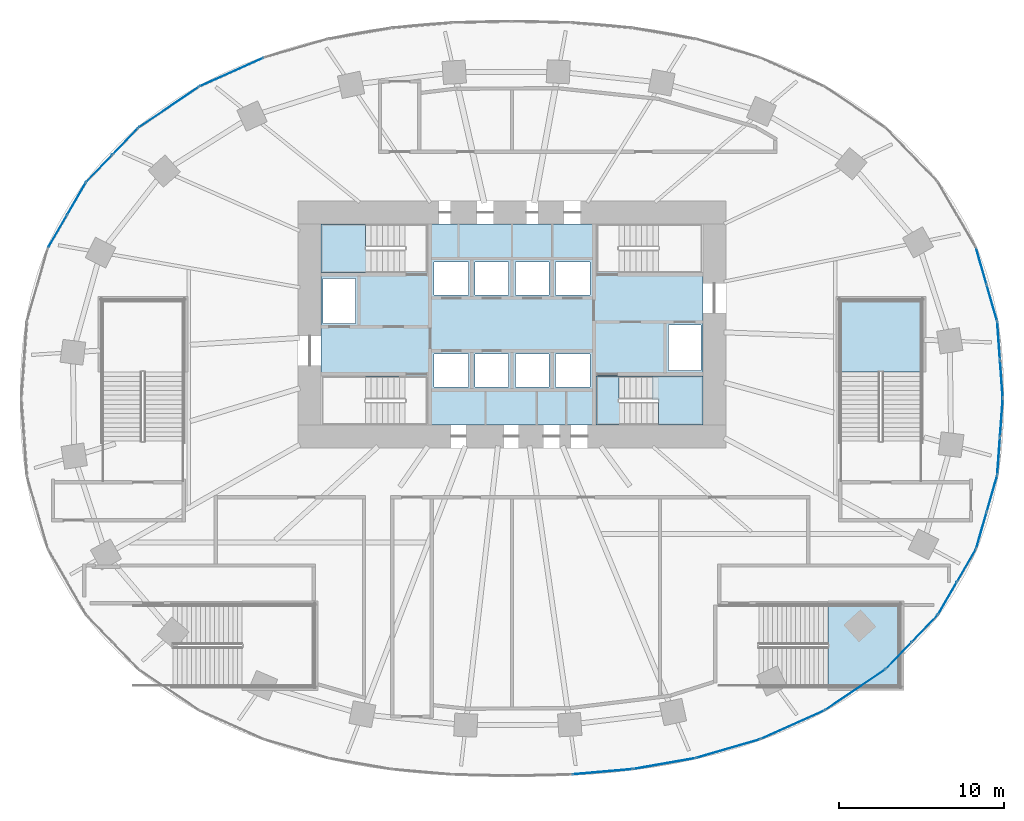
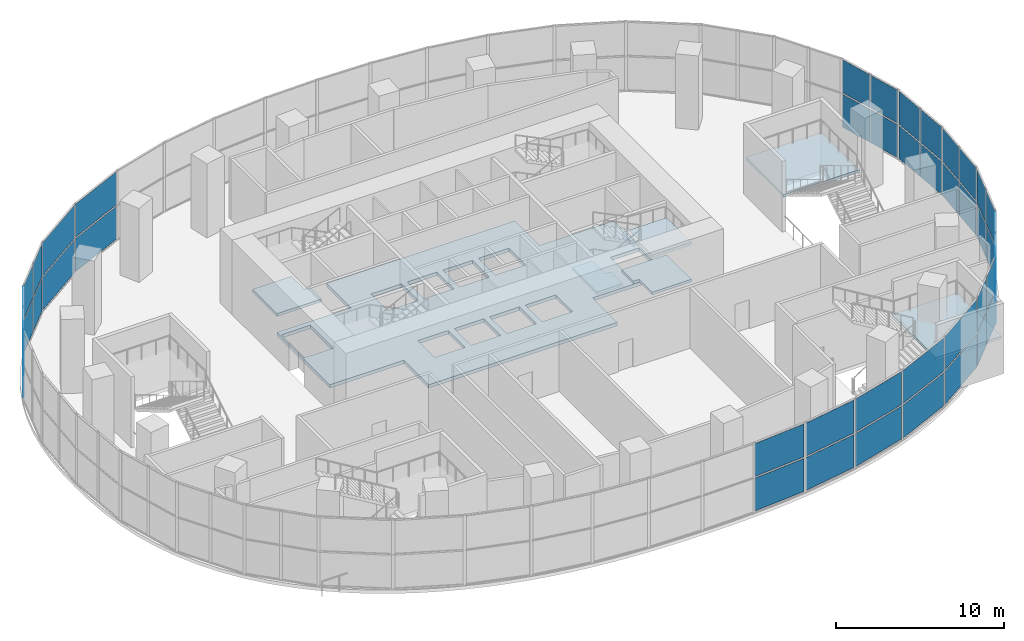
# One storey, part 10 of 20: 46 plates, 7 slabs, 19 elements without a shape of their own.
"""IFC4 building model written with IfcOpenShell, lengths in metres."""

from ifc_helpers import new_model, si_unit, direction, frame, origin, origin_2d, place, context, subcontext, project, spatial, polyline, rectangle, outline, extrude, material, layer, layer_set, type_object, element, aggregate, save


model = new_model("IFC4")

# Units and contexts
model_context = context("Model", 3, precision=1e-05, world=origin(), true_north=direction((0.0, 1.0)))
body_context = subcontext(model_context, "Body", "Model", "MODEL_VIEW")
ifc_project = project(units=[si_unit("LENGTHUNIT", "METRE"), si_unit("AREAUNIT", "SQUARE_METRE"), si_unit("VOLUMEUNIT", "CUBIC_METRE"), si_unit("PLANEANGLEUNIT", "RADIAN"), si_unit("MASSUNIT", "GRAM", prefix="KILO")], contexts=[model_context])

# Site, building, storey
site_placement = place(None, origin())
site = spatial("IfcSite", under=ifc_project, at=site_placement, CompositionType="ELEMENT")
building_placement = place(site_placement, origin())
building = spatial("IfcBuilding", under=site, at=building_placement, Name="Rubra Terraces Tower", CompositionType="ELEMENT")
storey_placement = place(building_placement, frame((0.0, 0.0, 22.800048828125)))
storey = spatial("IfcBuildingStorey", under=building, at=storey_placement, Name="L03", CompositionType="ELEMENT", Elevation=22.800048828125)

# Slab
ifc_material_1 = material(Name="Concrete C40", Category="concrete")
ifc_layer_1 = layer(ifc_material_1, 0.25)
ifc_layer_set_1 = layer_set([ifc_layer_1], Name="Concrete C40")
slab_type_1 = type_object("IfcSlabType", Name="Core floor slab 250 concrete", PredefinedType="FLOOR", material=ifc_layer_set_1)
slab_1_placement = place(storey_placement, frame((0.0, 0.0, -0.25)))
element("IfcSlab", 1, at=slab_1_placement, inside=storey, type_object=slab_type_1, Name="CORE FLOOR SLAB L03", PredefinedType="FLOOR", context=body_context, shape_type="SweptSolid", body=[
    extrude(outline(polyline([(-11.60009765625, 1.347900390625), (-11.60009765625, 7.652099609375), (-6.501953125, 7.652099609375), (-6.501953125, 10.60009765625), (6.501953125, 10.60009765625), (6.501953125, 7.652099609375), (11.60009765625, 7.652099609375), (11.60009765625, 1.347900390625), (6.501953125, 1.347900390625), (6.501953125, -1.60009765625), (-6.501953125, -1.60009765625), (-6.501953125, 1.347900390625), (-11.60009765625, 1.347900390625)]), holes=[polyline([(9.5, 1.699951171875), (11.5, 1.699951171875), (11.5, 4.449951171875), (9.5, 4.449951171875), (9.5, 1.699951171875)]), polyline([(4.75, 0.699951171875), (4.75, 2.699951171875), (2.64990234375, 2.699951171875), (2.64990234375, 0.699951171875), (4.75, 0.699951171875)]), polyline([(4.75, 6.300048828125), (4.75, 8.300048828125), (2.64990234375, 8.300048828125), (2.64990234375, 6.300048828125), (4.75, 6.300048828125)]), polyline([(2.25, 0.699951171875), (2.25, 2.699951171875), (0.199951171875, 2.699951171875), (0.199951171875, 0.699951171875), (2.25, 0.699951171875)]), polyline([(2.25, 6.300048828125), (2.25, 8.300048828125), (0.199951171875, 8.300048828125), (0.199951171875, 6.300048828125), (2.25, 6.300048828125)]), polyline([(-0.199951171875, 0.699951171875), (-0.199951171875, 2.699951171875), (-2.25, 2.699951171875), (-2.25, 0.699951171875), (-0.199951171875, 0.699951171875)]), polyline([(-0.199951171875, 6.300048828125), (-0.199951171875, 8.300048828125), (-2.25, 8.300048828125), (-2.25, 6.300048828125), (-0.199951171875, 6.300048828125)]), polyline([(-2.64990234375, 0.699951171875), (-2.64990234375, 2.699951171875), (-4.75, 2.699951171875), (-4.75, 0.699951171875), (-2.64990234375, 0.699951171875)]), polyline([(-2.64990234375, 8.300048828125), (-4.75, 8.300048828125), (-4.75, 6.300048828125), (-2.64990234375, 6.300048828125), (-2.64990234375, 8.300048828125)]), polyline([(-9.5, 7.300048828125), (-11.5, 7.300048828125), (-11.5, 4.550048828125), (-9.5, 4.550048828125), (-9.5, 7.300048828125)])]), origin(), (0.0, 0.0, 1.0), 0.25),
])

# Stair, slab
stair_type_1 = type_object("IfcStairType", Name="Core stair 1400", PredefinedType="HALF_TURN_STAIR", material=ifc_material_1)
stair_1_placement = place(storey_placement, origin())
stair_1 = element("IfcStair", 2, at=stair_1_placement, inside=storey, type_object=stair_type_1, Name="L03 Exit stair S2", PredefinedType="HALF_TURN_STAIR")
ifc_layer_2 = layer(ifc_material_1, 0.199951171875)
ifc_layer_set_2 = layer_set([ifc_layer_2], Name="Concrete C40")
slab_type_2 = type_object("IfcSlabType", Name="Core stair landing 200", PredefinedType="LANDING", material=ifc_layer_set_2)
slab_2_placement = place(storey_placement, frame((0.0, 0.0, 1.14990234375)))
slab_2 = element("IfcSlab", 3, at=slab_2_placement, type_object=slab_type_2, Name="S2 landing 1", PredefinedType="LANDING", context=body_context, shape_type="SweptSolid", body=[
    extrude(outline(polyline([(-8.52001953125, 9.050048828125), (-8.52001953125, 7.64990234375), (-8.919921875, 7.64990234375), (-11.60009765625, 7.64990234375), (-11.60009765625, 10.60009765625), (-8.919921875, 10.60009765625), (-8.89990234375, 10.60009765625), (-8.89794921875, 10.60009765625), (-8.89794921875, 9.199951171875), (-8.89990234375, 9.199951171875), (-8.89990234375, 9.050048828125), (-8.52001953125, 9.050048828125)])), origin(), (0.0, 0.0, 1.0), 0.199951171875),
])
aggregate(stair_1, [slab_2])

# Stair, slabs
stair_2_placement = place(storey_placement, origin())
stair_2 = element("IfcStair", 4, at=stair_2_placement, inside=storey, type_object=stair_type_1, Name="L03 Exit stair S4", PredefinedType="HALF_TURN_STAIR")
slab_3_placement = place(storey_placement, frame((0.0, 0.0, 1.14990234375)))
slab_3 = element("IfcSlab", 5, at=slab_3_placement, type_object=slab_type_2, Name="S4 landing 1", PredefinedType="LANDING", context=body_context, shape_type="SweptSolid", body=[
    extrude(outline(polyline([(8.89990234375, -0.199951171875), (8.89990234375, -0.050048828125), (8.52001953125, -0.050048828125), (8.52001953125, 1.35009765625), (8.89990234375, 1.35009765625), (8.919921875, 1.35009765625), (11.60009765625, 1.35009765625), (11.60009765625, -1.60009765625), (8.919921875, -1.60009765625), (8.89990234375, -1.60009765625), (8.89794921875, -1.60009765625), (8.89794921875, -0.199951171875), (8.89990234375, -0.199951171875)])), origin(), (0.0, 0.0, 1.0), 0.199951171875),
])
slab_4_placement = place(storey_placement, frame((0.0, 0.0, 2.5)))
slab_4 = element("IfcSlab", 6, at=slab_4_placement, type_object=slab_type_2, Name="S4 landing 2", PredefinedType="LANDING", context=body_context, shape_type="SweptSolid", body=[
    extrude(outline(polyline([(6.8798828125, -0.199951171875), (6.8798828125, -1.60009765625), (6.5, -1.60009765625), (6.47998046875, -1.60009765625), (5.10009765625, -1.60009765625), (5.10009765625, 1.35009765625), (6.47998046875, 1.35009765625), (6.501953125, 1.35009765625), (6.501953125, -0.050048828125), (6.5, -0.050048828125), (6.5, -0.199951171875), (6.8798828125, -0.199951171875)])), origin(), (0.0, 0.0, 1.0), 0.199951171875),
])
slab_5_placement = place(storey_placement, frame((0.0, 0.0, 3.849853515625)))
slab_5 = element("IfcSlab", 7, at=slab_5_placement, type_object=slab_type_2, Name="S4 landing 3", PredefinedType="LANDING", context=body_context, shape_type="SweptSolid", body=[
    extrude(outline(polyline([(8.89990234375, -0.199951171875), (8.89990234375, -0.050048828125), (8.52001953125, -0.050048828125), (8.52001953125, 1.35009765625), (8.89990234375, 1.35009765625), (8.919921875, 1.35009765625), (11.60009765625, 1.35009765625), (11.60009765625, -1.60009765625), (8.919921875, -1.60009765625), (8.89990234375, -1.60009765625), (8.89794921875, -1.60009765625), (8.89794921875, -0.199951171875), (8.89990234375, -0.199951171875)])), origin(), (0.0, 0.0, 1.0), 0.2001953125),
])
aggregate(stair_2, [slab_3, slab_4, slab_5])

# Curtain wall, plates
ifc_material_2 = material(Name="Aluminium and glass", Category="aluminium")
curtain_wall_type = type_object("IfcCurtainWallType", Name="Curtain wall Podium glazing", PredefinedType="NOTDEFINED", material=ifc_material_2)
curtain_wall_1_placement = place(storey_placement, origin())
curtain_wall_1 = element("IfcCurtainWall", 8, at=curtain_wall_1_placement, inside=storey, type_object=curtain_wall_type, Name="L03 glazing bay 1", PredefinedType="NOTDEFINED")
ifc_material_3 = material(Name="Clear glass, laminated", Category="glass")
ifc_layer_3 = layer(ifc_material_3, 0.028076171875)
ifc_layer_set_3 = layer_set([ifc_layer_3], Name="Clear glass, laminated")
plate_type = type_object("IfcPlateType", Name="Podium glazing glass panel 28", PredefinedType="CURTAIN_PANEL", material=ifc_layer_set_3)
plate_1_placement = place(storey_placement, frame((29.739990234375, 1.18017578125, 0.119873046875), z_axis=(0.0, 0.0, 1.0), x_axis=(-0.071792057306, 0.997419621076, 0.0)))
plate_1 = element("IfcPlate", 9, at=plate_1_placement, type_object=plate_type, Name="CW1 panel 1.1", PredefinedType="CURTAIN_PANEL", context=body_context, shape_type="SweptSolid", body=[
    extrude(rectangle(XDim=2.257080078125, YDim=0.028076171875, at=origin_2d()), origin(), (0.0, 0.0, 1.0), 2.39501953125),
])
plate_2_placement = place(storey_placement, frame((29.739990234375, 1.18017578125, 2.635009765625), z_axis=(0.0, 0.0, 1.0), x_axis=(-0.071792057306, 0.997419621076, 0.0)))
plate_2 = element("IfcPlate", 10, at=plate_2_placement, type_object=plate_type, Name="CW1 panel 1.2", PredefinedType="CURTAIN_PANEL", context=body_context, shape_type="SweptSolid", body=[
    extrude(rectangle(XDim=2.257080078125, YDim=0.028076171875, at=origin_2d()), origin(), (0.0, 0.0, 1.0), 2.39501953125),
])
plate_3_placement = place(storey_placement, frame((29.573486328125, 3.4912109375, 0.119873046875), z_axis=(0.0, 0.0, 1.0), x_axis=(-0.071792057306, 0.997419621076, 0.0)))
plate_3 = element("IfcPlate", 11, at=plate_3_placement, type_object=plate_type, Name="CW1 panel 2.1", PredefinedType="CURTAIN_PANEL", context=body_context, shape_type="SweptSolid", body=[
    extrude(rectangle(XDim=2.257080078125, YDim=0.028076171875, at=origin_2d()), origin(), (0.0, 0.0, 1.0), 2.39501953125),
])
plate_4_placement = place(storey_placement, frame((29.573486328125, 3.4912109375, 2.635009765625), z_axis=(0.0, 0.0, 1.0), x_axis=(-0.071792057306, 0.997419621076, 0.0)))
plate_4 = element("IfcPlate", 12, at=plate_4_placement, type_object=plate_type, Name="CW1 panel 2.2", PredefinedType="CURTAIN_PANEL", context=body_context, shape_type="SweptSolid", body=[
    extrude(rectangle(XDim=2.257080078125, YDim=0.028076171875, at=origin_2d()), origin(), (0.0, 0.0, 1.0), 2.39501953125),
])
aggregate(curtain_wall_1, [plate_1, plate_2, plate_3, plate_4])

curtain_wall_2_placement = place(storey_placement, origin())
curtain_wall_2 = element("IfcCurtainWall", 13, at=curtain_wall_2_placement, inside=storey, type_object=curtain_wall_type, Name="L03 glazing bay 2", PredefinedType="NOTDEFINED")
plate_5_placement = place(storey_placement, frame((29.1630859375, 5.801513671875, 0.119873046875), z_axis=(0.0, 0.0, 1.0), x_axis=(-0.276383811798, 0.961047339404, 0.0)))
plate_5 = element("IfcPlate", 14, at=plate_5_placement, type_object=plate_type, Name="CW1 panel 1.1", PredefinedType="CURTAIN_PANEL", context=body_context, shape_type="SweptSolid", body=[
    extrude(rectangle(XDim=2.252685546875, YDim=0.028076171875, at=origin_2d()), origin(), (0.0, 0.0, 1.0), 2.39501953125),
])
plate_6_placement = place(storey_placement, frame((29.1630859375, 5.801513671875, 2.635009765625), z_axis=(0.0, 0.0, 1.0), x_axis=(-0.276383811798, 0.961047339404, 0.0)))
plate_6 = element("IfcPlate", 15, at=plate_6_placement, type_object=plate_type, Name="CW1 panel 1.2", PredefinedType="CURTAIN_PANEL", context=body_context, shape_type="SweptSolid", body=[
    extrude(rectangle(XDim=2.252685546875, YDim=0.028076171875, at=origin_2d()), origin(), (0.0, 0.0, 1.0), 2.39501953125),
])
plate_7_placement = place(storey_placement, frame((28.523681640625, 8.024169921875, 0.119873046875), z_axis=(0.0, 0.0, 1.0), x_axis=(-0.276383811798, 0.961047339404, 0.0)))
plate_7 = element("IfcPlate", 16, at=plate_7_placement, type_object=plate_type, Name="CW1 panel 2.1", PredefinedType="CURTAIN_PANEL", context=body_context, shape_type="SweptSolid", body=[
    extrude(rectangle(XDim=2.252685546875, YDim=0.028076171875, at=origin_2d()), origin(), (0.0, 0.0, 1.0), 2.39501953125),
])
plate_8_placement = place(storey_placement, frame((28.523681640625, 8.024169921875, 2.635009765625), z_axis=(0.0, 0.0, 1.0), x_axis=(-0.276383811798, 0.961047339404, 0.0)))
plate_8 = element("IfcPlate", 17, at=plate_8_placement, type_object=plate_type, Name="CW1 panel 2.2", PredefinedType="CURTAIN_PANEL", context=body_context, shape_type="SweptSolid", body=[
    extrude(rectangle(XDim=2.252685546875, YDim=0.028076171875, at=origin_2d()), origin(), (0.0, 0.0, 1.0), 2.39501953125),
])
aggregate(curtain_wall_2, [plate_5, plate_6, plate_7, plate_8])

curtain_wall_3_placement = place(storey_placement, origin())
curtain_wall_3 = element("IfcCurtainWall", 18, at=curtain_wall_3_placement, inside=storey, type_object=curtain_wall_type, Name="L03 glazing bay 15", PredefinedType="NOTDEFINED")
plate_9_placement = place(storey_placement, frame((-17.03271484375, 19.837158203125, 0.119873046875), z_axis=(0.0, 0.0, 1.0), x_axis=(-0.912551215254, -0.4089624427, 0.0)))
plate_9 = element("IfcPlate", 19, at=plate_9_placement, type_object=plate_type, Name="CW1 panel 1.1", PredefinedType="CURTAIN_PANEL", context=body_context, shape_type="SweptSolid", body=[
    extrude(rectangle(XDim=4.18115234375, YDim=0.028076171875, at=origin_2d()), origin(), (0.0, 0.0, 1.0), 2.39501953125),
])
plate_10_placement = place(storey_placement, frame((-17.03271484375, 19.837158203125, 2.635009765625), z_axis=(0.0, 0.0, 1.0), x_axis=(-0.912551215254, -0.4089624427, 0.0)))
plate_10 = element("IfcPlate", 20, at=plate_10_placement, type_object=plate_type, Name="CW1 panel 1.2", PredefinedType="CURTAIN_PANEL", context=body_context, shape_type="SweptSolid", body=[
    extrude(rectangle(XDim=4.18115234375, YDim=0.028076171875, at=origin_2d()), origin(), (0.0, 0.0, 1.0), 2.39501953125),
])
aggregate(curtain_wall_3, [plate_9, plate_10])

curtain_wall_4_placement = place(storey_placement, origin())
curtain_wall_4 = element("IfcCurtainWall", 21, at=curtain_wall_4_placement, inside=storey, type_object=curtain_wall_type, Name="L03 glazing bay 16", PredefinedType="NOTDEFINED")
plate_11_placement = place(storey_placement, frame((-20.840576171875, 17.711181640625, 0.119873046875), z_axis=(0.0, 0.0, 1.0), x_axis=(-0.828980654031, -0.55927727939, 0.0)))
plate_11 = element("IfcPlate", 22, at=plate_11_placement, type_object=plate_type, Name="CW1 panel 1.1", PredefinedType="CURTAIN_PANEL", context=body_context, shape_type="SweptSolid", body=[
    extrude(rectangle(XDim=4.35888671875, YDim=0.028076171875, at=origin_2d()), origin(), (0.0, 0.0, 1.0), 2.39501953125),
])
plate_12_placement = place(storey_placement, frame((-20.840576171875, 17.711181640625, 2.635009765625), z_axis=(0.0, 0.0, 1.0), x_axis=(-0.828980654031, -0.55927727939, 0.0)))
plate_12 = element("IfcPlate", 23, at=plate_12_placement, type_object=plate_type, Name="CW1 panel 1.2", PredefinedType="CURTAIN_PANEL", context=body_context, shape_type="SweptSolid", body=[
    extrude(rectangle(XDim=4.35888671875, YDim=0.028076171875, at=origin_2d()), origin(), (0.0, 0.0, 1.0), 2.39501953125),
])
aggregate(curtain_wall_4, [plate_11, plate_12])

curtain_wall_5_placement = place(storey_placement, origin())
curtain_wall_5 = element("IfcCurtainWall", 24, at=curtain_wall_5_placement, inside=storey, type_object=curtain_wall_type, Name="L03 glazing bay 17", PredefinedType="NOTDEFINED")
plate_13_placement = place(storey_placement, frame((-23.4931640625, 15.630859375, 0.119873046875), z_axis=(0.0, 0.0, 1.0), x_axis=(-0.69415569917, -0.71982488517, 0.0)))
plate_13 = element("IfcPlate", 25, at=plate_13_placement, type_object=plate_type, Name="CW1 panel 1.1", PredefinedType="CURTAIN_PANEL", context=body_context, shape_type="SweptSolid", body=[
    extrude(rectangle(XDim=2.20849609375, YDim=0.028076171875, at=origin_2d()), origin(), (0.0, 0.0, 1.0), 2.39501953125),
])
plate_14_placement = place(storey_placement, frame((-23.4931640625, 15.630859375, 2.635009765625), z_axis=(0.0, 0.0, 1.0), x_axis=(-0.69415569917, -0.71982488517, 0.0)))
plate_14 = element("IfcPlate", 26, at=plate_14_placement, type_object=plate_type, Name="CW1 panel 1.2", PredefinedType="CURTAIN_PANEL", context=body_context, shape_type="SweptSolid", body=[
    extrude(rectangle(XDim=2.20849609375, YDim=0.028076171875, at=origin_2d()), origin(), (0.0, 0.0, 1.0), 2.39501953125),
])
plate_15_placement = place(storey_placement, frame((-25.06787109375, 13.998046875, 0.119873046875), z_axis=(0.0, 0.0, 1.0), x_axis=(-0.69415569917, -0.71982488517, 0.0)))
plate_15 = element("IfcPlate", 27, at=plate_15_placement, type_object=plate_type, Name="CW1 panel 2.1", PredefinedType="CURTAIN_PANEL", context=body_context, shape_type="SweptSolid", body=[
    extrude(rectangle(XDim=2.20849609375, YDim=0.028076171875, at=origin_2d()), origin(), (0.0, 0.0, 1.0), 2.39501953125),
])
plate_16_placement = place(storey_placement, frame((-25.06787109375, 13.998046875, 2.635009765625), z_axis=(0.0, 0.0, 1.0), x_axis=(-0.69415569917, -0.71982488517, 0.0)))
plate_16 = element("IfcPlate", 28, at=plate_16_placement, type_object=plate_type, Name="CW1 panel 2.2", PredefinedType="CURTAIN_PANEL", context=body_context, shape_type="SweptSolid", body=[
    extrude(rectangle(XDim=2.20849609375, YDim=0.028076171875, at=origin_2d()), origin(), (0.0, 0.0, 1.0), 2.39501953125),
])
aggregate(curtain_wall_5, [plate_13, plate_14, plate_15, plate_16])

curtain_wall_6_placement = place(storey_placement, origin())
curtain_wall_6 = element("IfcCurtainWall", 29, at=curtain_wall_6_placement, inside=storey, type_object=curtain_wall_type, Name="L03 glazing bay 18", PredefinedType="NOTDEFINED")
plate_17_placement = place(storey_placement, frame((-26.45703125, 12.154541015625, 0.119873046875), z_axis=(0.0, 0.0, 1.0), x_axis=(-0.502094070187, -0.864813011398, 0.0)))
plate_17 = element("IfcPlate", 30, at=plate_17_placement, type_object=plate_type, Name="CW1 panel 1.1", PredefinedType="CURTAIN_PANEL", context=body_context, shape_type="SweptSolid", body=[
    extrude(rectangle(XDim=2.23828125, YDim=0.028076171875, at=origin_2d()), origin(), (0.0, 0.0, 1.0), 2.39501953125),
])
plate_18_placement = place(storey_placement, frame((-26.45703125, 12.154541015625, 2.635009765625), z_axis=(0.0, 0.0, 1.0), x_axis=(-0.502094070187, -0.864813011398, 0.0)))
plate_18 = element("IfcPlate", 31, at=plate_18_placement, type_object=plate_type, Name="CW1 panel 1.2", PredefinedType="CURTAIN_PANEL", context=body_context, shape_type="SweptSolid", body=[
    extrude(rectangle(XDim=2.23828125, YDim=0.028076171875, at=origin_2d()), origin(), (0.0, 0.0, 1.0), 2.39501953125),
])
plate_19_placement = place(storey_placement, frame((-27.611083984375, 10.1669921875, 0.119873046875), z_axis=(0.0, 0.0, 1.0), x_axis=(-0.502094070187, -0.864813011398, 0.0)))
plate_19 = element("IfcPlate", 32, at=plate_19_placement, type_object=plate_type, Name="CW1 panel 2.1", PredefinedType="CURTAIN_PANEL", context=body_context, shape_type="SweptSolid", body=[
    extrude(rectangle(XDim=2.23828125, YDim=0.028076171875, at=origin_2d()), origin(), (0.0, 0.0, 1.0), 2.39501953125),
])
plate_20_placement = place(storey_placement, frame((-27.611083984375, 10.1669921875, 2.635009765625), z_axis=(0.0, 0.0, 1.0), x_axis=(-0.502094070187, -0.864813011398, 0.0)))
plate_20 = element("IfcPlate", 33, at=plate_20_placement, type_object=plate_type, Name="CW1 panel 2.2", PredefinedType="CURTAIN_PANEL", context=body_context, shape_type="SweptSolid", body=[
    extrude(rectangle(XDim=2.23828125, YDim=0.028076171875, at=origin_2d()), origin(), (0.0, 0.0, 1.0), 2.39501953125),
])
aggregate(curtain_wall_6, [plate_17, plate_18, plate_19, plate_20])

curtain_wall_7_placement = place(storey_placement, origin())
curtain_wall_7 = element("IfcCurtainWall", 34, at=curtain_wall_7_placement, inside=storey, type_object=curtain_wall_type, Name="L03 glazing bay 32", PredefinedType="NOTDEFINED")
plate_21_placement = place(storey_placement, frame((5.47998046875, -22.686279296875, 0.119873046875), z_axis=(0.0, 0.0, 1.0), x_axis=(0.996260697637, 0.08639804595, 0.0)))
plate_21 = element("IfcPlate", 35, at=plate_21_placement, type_object=plate_type, Name="CW1 panel 1.1", PredefinedType="CURTAIN_PANEL", context=body_context, shape_type="SweptSolid", body=[
    extrude(rectangle(XDim=3.60693359375, YDim=0.028076171875, at=origin_2d()), origin(), (0.0, 0.0, 1.0), 2.39501953125),
])
plate_22_placement = place(storey_placement, frame((5.47998046875, -22.686279296875, 2.635009765625), z_axis=(0.0, 0.0, 1.0), x_axis=(0.996260697637, 0.08639804595, 0.0)))
plate_22 = element("IfcPlate", 36, at=plate_22_placement, type_object=plate_type, Name="CW1 panel 1.2", PredefinedType="CURTAIN_PANEL", context=body_context, shape_type="SweptSolid", body=[
    extrude(rectangle(XDim=3.60693359375, YDim=0.028076171875, at=origin_2d()), origin(), (0.0, 0.0, 1.0), 2.39501953125),
])
aggregate(curtain_wall_7, [plate_21, plate_22])

curtain_wall_8_placement = place(storey_placement, origin())
curtain_wall_8 = element("IfcCurtainWall", 37, at=curtain_wall_8_placement, inside=storey, type_object=curtain_wall_type, Name="L03 glazing bay 33", PredefinedType="NOTDEFINED")
plate_23_placement = place(storey_placement, frame((9.2451171875, -22.190185546875, 0.119873046875), z_axis=(0.0, 0.0, 1.0), x_axis=(0.984953952909, 0.172816985997, 0.0)))
plate_23 = element("IfcPlate", 38, at=plate_23_placement, type_object=plate_type, Name="CW1 panel 1.1", PredefinedType="CURTAIN_PANEL", context=body_context, shape_type="SweptSolid", body=[
    extrude(rectangle(XDim=3.7685546875, YDim=0.028076171875, at=origin_2d()), origin(), (0.0, 0.0, 1.0), 2.39501953125),
])
plate_24_placement = place(storey_placement, frame((9.2451171875, -22.190185546875, 2.635009765625), z_axis=(0.0, 0.0, 1.0), x_axis=(0.984953952909, 0.172816985997, 0.0)))
plate_24 = element("IfcPlate", 39, at=plate_24_placement, type_object=plate_type, Name="CW1 panel 1.2", PredefinedType="CURTAIN_PANEL", context=body_context, shape_type="SweptSolid", body=[
    extrude(rectangle(XDim=3.7685546875, YDim=0.028076171875, at=origin_2d()), origin(), (0.0, 0.0, 1.0), 2.39501953125),
])
aggregate(curtain_wall_8, [plate_23, plate_24])

curtain_wall_9_placement = place(storey_placement, origin())
curtain_wall_9 = element("IfcCurtainWall", 40, at=curtain_wall_9_placement, inside=storey, type_object=curtain_wall_type, Name="L03 glazing bay 34", PredefinedType="NOTDEFINED")
plate_25_placement = place(storey_placement, frame((13.115966796875, -21.284423828125, 0.119873046875), z_axis=(0.0, 0.0, 1.0), x_axis=(0.96017502931, 0.279399200229, 0.0)))
plate_25 = element("IfcPlate", 41, at=plate_25_placement, type_object=plate_type, Name="CW1 panel 1.1", PredefinedType="CURTAIN_PANEL", context=body_context, shape_type="SweptSolid", body=[
    extrude(rectangle(XDim=3.970947265625, YDim=0.028076171875, at=origin_2d()), origin(), (0.0, 0.0, 1.0), 2.39501953125),
])
plate_26_placement = place(storey_placement, frame((13.115966796875, -21.284423828125, 2.635009765625), z_axis=(0.0, 0.0, 1.0), x_axis=(0.96017502931, 0.279399200229, 0.0)))
plate_26 = element("IfcPlate", 42, at=plate_26_placement, type_object=plate_type, Name="CW1 panel 1.2", PredefinedType="CURTAIN_PANEL", context=body_context, shape_type="SweptSolid", body=[
    extrude(rectangle(XDim=3.970947265625, YDim=0.028076171875, at=origin_2d()), origin(), (0.0, 0.0, 1.0), 2.39501953125),
])
aggregate(curtain_wall_9, [plate_25, plate_26])

curtain_wall_10_placement = place(storey_placement, origin())
curtain_wall_10 = element("IfcCurtainWall", 43, at=curtain_wall_10_placement, inside=storey, type_object=curtain_wall_type, Name="L03 glazing bay 35", PredefinedType="NOTDEFINED")
plate_27_placement = place(storey_placement, frame((17.03271484375, -19.837158203125, 0.119873046875), z_axis=(0.0, 0.0, 1.0), x_axis=(0.912551215254, 0.4089624427, 0.0)))
plate_27 = element("IfcPlate", 44, at=plate_27_placement, type_object=plate_type, Name="CW1 panel 1.1", PredefinedType="CURTAIN_PANEL", context=body_context, shape_type="SweptSolid", body=[
    extrude(rectangle(XDim=4.18115234375, YDim=0.028076171875, at=origin_2d()), origin(), (0.0, 0.0, 1.0), 2.39501953125),
])
plate_28_placement = place(storey_placement, frame((17.03271484375, -19.837158203125, 2.635009765625), z_axis=(0.0, 0.0, 1.0), x_axis=(0.912551215254, 0.4089624427, 0.0)))
plate_28 = element("IfcPlate", 45, at=plate_28_placement, type_object=plate_type, Name="CW1 panel 1.2", PredefinedType="CURTAIN_PANEL", context=body_context, shape_type="SweptSolid", body=[
    extrude(rectangle(XDim=4.18115234375, YDim=0.028076171875, at=origin_2d()), origin(), (0.0, 0.0, 1.0), 2.39501953125),
])
aggregate(curtain_wall_10, [plate_27, plate_28])

curtain_wall_11_placement = place(storey_placement, origin())
curtain_wall_11 = element("IfcCurtainWall", 46, at=curtain_wall_11_placement, inside=storey, type_object=curtain_wall_type, Name="L03 glazing bay 36", PredefinedType="NOTDEFINED")
plate_29_placement = place(storey_placement, frame((20.840576171875, -17.711181640625, 0.119873046875), z_axis=(0.0, 0.0, 1.0), x_axis=(0.828980654031, 0.55927727939, 0.0)))
plate_29 = element("IfcPlate", 47, at=plate_29_placement, type_object=plate_type, Name="CW1 panel 1.1", PredefinedType="CURTAIN_PANEL", context=body_context, shape_type="SweptSolid", body=[
    extrude(rectangle(XDim=4.35888671875, YDim=0.028076171875, at=origin_2d()), origin(), (0.0, 0.0, 1.0), 2.39501953125),
])
plate_30_placement = place(storey_placement, frame((20.840576171875, -17.711181640625, 2.635009765625), z_axis=(0.0, 0.0, 1.0), x_axis=(0.828980654031, 0.55927727939, 0.0)))
plate_30 = element("IfcPlate", 48, at=plate_30_placement, type_object=plate_type, Name="CW1 panel 1.2", PredefinedType="CURTAIN_PANEL", context=body_context, shape_type="SweptSolid", body=[
    extrude(rectangle(XDim=4.35888671875, YDim=0.028076171875, at=origin_2d()), origin(), (0.0, 0.0, 1.0), 2.39501953125),
])
aggregate(curtain_wall_11, [plate_29, plate_30])

curtain_wall_12_placement = place(storey_placement, origin())
curtain_wall_12 = element("IfcCurtainWall", 49, at=curtain_wall_12_placement, inside=storey, type_object=curtain_wall_type, Name="L03 glazing bay 37", PredefinedType="NOTDEFINED")
plate_31_placement = place(storey_placement, frame((23.4931640625, -15.630859375, 0.119873046875), z_axis=(0.0, 0.0, 1.0), x_axis=(0.69415569917, 0.71982488517, 0.0)))
plate_31 = element("IfcPlate", 50, at=plate_31_placement, type_object=plate_type, Name="CW1 panel 1.1", PredefinedType="CURTAIN_PANEL", context=body_context, shape_type="SweptSolid", body=[
    extrude(rectangle(XDim=2.20849609375, YDim=0.028076171875, at=origin_2d()), origin(), (0.0, 0.0, 1.0), 2.39501953125),
])
plate_32_placement = place(storey_placement, frame((23.4931640625, -15.630859375, 2.635009765625), z_axis=(0.0, 0.0, 1.0), x_axis=(0.69415569917, 0.71982488517, 0.0)))
plate_32 = element("IfcPlate", 51, at=plate_32_placement, type_object=plate_type, Name="CW1 panel 1.2", PredefinedType="CURTAIN_PANEL", context=body_context, shape_type="SweptSolid", body=[
    extrude(rectangle(XDim=2.20849609375, YDim=0.028076171875, at=origin_2d()), origin(), (0.0, 0.0, 1.0), 2.39501953125),
])
plate_33_placement = place(storey_placement, frame((25.06787109375, -13.998046875, 0.119873046875), z_axis=(0.0, 0.0, 1.0), x_axis=(0.69415569917, 0.71982488517, 0.0)))
plate_33 = element("IfcPlate", 52, at=plate_33_placement, type_object=plate_type, Name="CW1 panel 2.1", PredefinedType="CURTAIN_PANEL", context=body_context, shape_type="SweptSolid", body=[
    extrude(rectangle(XDim=2.20849609375, YDim=0.028076171875, at=origin_2d()), origin(), (0.0, 0.0, 1.0), 2.39501953125),
])
plate_34_placement = place(storey_placement, frame((25.06787109375, -13.998046875, 2.635009765625), z_axis=(0.0, 0.0, 1.0), x_axis=(0.69415569917, 0.71982488517, 0.0)))
plate_34 = element("IfcPlate", 53, at=plate_34_placement, type_object=plate_type, Name="CW1 panel 2.2", PredefinedType="CURTAIN_PANEL", context=body_context, shape_type="SweptSolid", body=[
    extrude(rectangle(XDim=2.20849609375, YDim=0.028076171875, at=origin_2d()), origin(), (0.0, 0.0, 1.0), 2.39501953125),
])
aggregate(curtain_wall_12, [plate_31, plate_32, plate_33, plate_34])

curtain_wall_13_placement = place(storey_placement, origin())
curtain_wall_13 = element("IfcCurtainWall", 54, at=curtain_wall_13_placement, inside=storey, type_object=curtain_wall_type, Name="L03 glazing bay 38", PredefinedType="NOTDEFINED")
plate_35_placement = place(storey_placement, frame((26.45703125, -12.154541015625, 0.119873046875), z_axis=(0.0, 0.0, 1.0), x_axis=(0.502094070187, 0.864813011398, 0.0)))
plate_35 = element("IfcPlate", 55, at=plate_35_placement, type_object=plate_type, Name="CW1 panel 1.1", PredefinedType="CURTAIN_PANEL", context=body_context, shape_type="SweptSolid", body=[
    extrude(rectangle(XDim=2.23828125, YDim=0.028076171875, at=origin_2d()), origin(), (0.0, 0.0, 1.0), 2.39501953125),
])
plate_36_placement = place(storey_placement, frame((26.45703125, -12.154541015625, 2.635009765625), z_axis=(0.0, 0.0, 1.0), x_axis=(0.502094070187, 0.864813011398, 0.0)))
plate_36 = element("IfcPlate", 56, at=plate_36_placement, type_object=plate_type, Name="CW1 panel 1.2", PredefinedType="CURTAIN_PANEL", context=body_context, shape_type="SweptSolid", body=[
    extrude(rectangle(XDim=2.23828125, YDim=0.028076171875, at=origin_2d()), origin(), (0.0, 0.0, 1.0), 2.39501953125),
])
plate_37_placement = place(storey_placement, frame((27.611083984375, -10.1669921875, 0.119873046875), z_axis=(0.0, 0.0, 1.0), x_axis=(0.502094070187, 0.864813011398, 0.0)))
plate_37 = element("IfcPlate", 57, at=plate_37_placement, type_object=plate_type, Name="CW1 panel 2.1", PredefinedType="CURTAIN_PANEL", context=body_context, shape_type="SweptSolid", body=[
    extrude(rectangle(XDim=2.23828125, YDim=0.028076171875, at=origin_2d()), origin(), (0.0, 0.0, 1.0), 2.39501953125),
])
plate_38_placement = place(storey_placement, frame((27.611083984375, -10.1669921875, 2.635009765625), z_axis=(0.0, 0.0, 1.0), x_axis=(0.502094070187, 0.864813011398, 0.0)))
plate_38 = element("IfcPlate", 58, at=plate_38_placement, type_object=plate_type, Name="CW1 panel 2.2", PredefinedType="CURTAIN_PANEL", context=body_context, shape_type="SweptSolid", body=[
    extrude(rectangle(XDim=2.23828125, YDim=0.028076171875, at=origin_2d()), origin(), (0.0, 0.0, 1.0), 2.39501953125),
])
aggregate(curtain_wall_13, [plate_35, plate_36, plate_37, plate_38])

curtain_wall_14_placement = place(storey_placement, origin())
curtain_wall_14 = element("IfcCurtainWall", 59, at=curtain_wall_14_placement, inside=storey, type_object=curtain_wall_type, Name="L03 glazing bay 39", PredefinedType="NOTDEFINED")
plate_39_placement = place(storey_placement, frame((28.523681640625, -8.024169921875, 0.119873046875), z_axis=(0.0, 0.0, 1.0), x_axis=(0.276383811798, 0.961047339404, 0.0)))
plate_39 = element("IfcPlate", 60, at=plate_39_placement, type_object=plate_type, Name="CW1 panel 1.1", PredefinedType="CURTAIN_PANEL", context=body_context, shape_type="SweptSolid", body=[
    extrude(rectangle(XDim=2.252685546875, YDim=0.028076171875, at=origin_2d()), origin(), (0.0, 0.0, 1.0), 2.39501953125),
])
plate_40_placement = place(storey_placement, frame((28.523681640625, -8.024169921875, 2.635009765625), z_axis=(0.0, 0.0, 1.0), x_axis=(0.276383811798, 0.961047339404, 0.0)))
plate_40 = element("IfcPlate", 61, at=plate_40_placement, type_object=plate_type, Name="CW1 panel 1.2", PredefinedType="CURTAIN_PANEL", context=body_context, shape_type="SweptSolid", body=[
    extrude(rectangle(XDim=2.252685546875, YDim=0.028076171875, at=origin_2d()), origin(), (0.0, 0.0, 1.0), 2.39501953125),
])
plate_41_placement = place(storey_placement, frame((29.1630859375, -5.801513671875, 0.119873046875), z_axis=(0.0, 0.0, 1.0), x_axis=(0.276383811798, 0.961047339404, 0.0)))
plate_41 = element("IfcPlate", 62, at=plate_41_placement, type_object=plate_type, Name="CW1 panel 2.1", PredefinedType="CURTAIN_PANEL", context=body_context, shape_type="SweptSolid", body=[
    extrude(rectangle(XDim=2.252685546875, YDim=0.028076171875, at=origin_2d()), origin(), (0.0, 0.0, 1.0), 2.39501953125),
])
plate_42_placement = place(storey_placement, frame((29.1630859375, -5.801513671875, 2.635009765625), z_axis=(0.0, 0.0, 1.0), x_axis=(0.276383811798, 0.961047339404, 0.0)))
plate_42 = element("IfcPlate", 63, at=plate_42_placement, type_object=plate_type, Name="CW1 panel 2.2", PredefinedType="CURTAIN_PANEL", context=body_context, shape_type="SweptSolid", body=[
    extrude(rectangle(XDim=2.252685546875, YDim=0.028076171875, at=origin_2d()), origin(), (0.0, 0.0, 1.0), 2.39501953125),
])
aggregate(curtain_wall_14, [plate_39, plate_40, plate_41, plate_42])

curtain_wall_15_placement = place(storey_placement, origin())
curtain_wall_15 = element("IfcCurtainWall", 64, at=curtain_wall_15_placement, inside=storey, type_object=curtain_wall_type, Name="L03 glazing bay 40", PredefinedType="NOTDEFINED")
plate_43_placement = place(storey_placement, frame((29.573486328125, -3.4912109375, 0.119873046875), z_axis=(0.0, 0.0, 1.0), x_axis=(0.071792057306, 0.997419621076, 0.0)))
plate_43 = element("IfcPlate", 65, at=plate_43_placement, type_object=plate_type, Name="CW1 panel 1.1", PredefinedType="CURTAIN_PANEL", context=body_context, shape_type="SweptSolid", body=[
    extrude(rectangle(XDim=2.257080078125, YDim=0.028076171875, at=origin_2d()), origin(), (0.0, 0.0, 1.0), 2.39501953125),
])
plate_44_placement = place(storey_placement, frame((29.573486328125, -3.4912109375, 2.635009765625), z_axis=(0.0, 0.0, 1.0), x_axis=(0.071792057306, 0.997419621076, 0.0)))
plate_44 = element("IfcPlate", 66, at=plate_44_placement, type_object=plate_type, Name="CW1 panel 1.2", PredefinedType="CURTAIN_PANEL", context=body_context, shape_type="SweptSolid", body=[
    extrude(rectangle(XDim=2.257080078125, YDim=0.028076171875, at=origin_2d()), origin(), (0.0, 0.0, 1.0), 2.39501953125),
])
plate_45_placement = place(storey_placement, frame((29.739990234375, -1.18017578125, 0.119873046875), z_axis=(0.0, 0.0, 1.0), x_axis=(0.071792057306, 0.997419621076, 0.0)))
plate_45 = element("IfcPlate", 67, at=plate_45_placement, type_object=plate_type, Name="CW1 panel 2.1", PredefinedType="CURTAIN_PANEL", context=body_context, shape_type="SweptSolid", body=[
    extrude(rectangle(XDim=2.257080078125, YDim=0.028076171875, at=origin_2d()), origin(), (0.0, 0.0, 1.0), 2.39501953125),
])
plate_46_placement = place(storey_placement, frame((29.739990234375, -1.18017578125, 2.635009765625), z_axis=(0.0, 0.0, 1.0), x_axis=(0.071792057306, 0.997419621076, 0.0)))
plate_46 = element("IfcPlate", 68, at=plate_46_placement, type_object=plate_type, Name="CW1 panel 2.2", PredefinedType="CURTAIN_PANEL", context=body_context, shape_type="SweptSolid", body=[
    extrude(rectangle(XDim=2.257080078125, YDim=0.028076171875, at=origin_2d()), origin(), (0.0, 0.0, 1.0), 2.39501953125),
])
aggregate(curtain_wall_15, [plate_43, plate_44, plate_45, plate_46])

# Stair, slab
ifc_material_4 = material(Name="Concrete C40/50", Category="concrete")
stair_type_2 = type_object("IfcStairType", Name="Public stair", PredefinedType="HALF_TURN_STAIR", material=ifc_material_4)
stair_3_placement = place(storey_placement, origin())
stair_3 = element("IfcStair", 69, at=stair_3_placement, inside=storey, type_object=stair_type_2, Name="L03 public stair PS2", PredefinedType="HALF_TURN_STAIR")
ifc_layer_4 = layer(ifc_material_4, 0.199951171875)
ifc_layer_set_4 = layer_set([ifc_layer_4], Name="Concrete C40/50")
slab_type_3 = type_object("IfcSlabType", Name="Public stair landing 200", PredefinedType="LANDING", material=ifc_layer_set_4)
slab_6_placement = place(storey_placement, frame((0.0, 0.0, 2.5)))
slab_6 = element("IfcSlab", 70, at=slab_6_placement, type_object=slab_type_3, Name="PS2 landing 1", PredefinedType="LANDING", context=body_context, shape_type="SweptSolid", body=[
    extrude(outline(polyline([(19.800048828125, 1.60009765625), (25.050048828125, 1.60009765625), (25.050048828125, 6.110107421875), (19.800048828125, 6.110107421875), (19.800048828125, 1.60009765625)])), origin(), (0.0, 0.0, 1.0), 0.199951171875),
])
aggregate(stair_3, [slab_6])

stair_4_placement = place(storey_placement, origin())
stair_4 = element("IfcStair", 71, at=stair_4_placement, inside=storey, type_object=stair_type_2, Name="L03 public stair PS4", PredefinedType="HALF_TURN_STAIR")
slab_7_placement = place(storey_placement, frame((0.0, 0.0, 2.5)))
slab_7 = element("IfcSlab", 72, at=slab_7_placement, type_object=slab_type_3, Name="PS4 landing 1", PredefinedType="LANDING", context=body_context, shape_type="SweptSolid", body=[
    extrude(outline(polyline([(19.199951171875, -17.64990234375), (23.7099609375, -17.64990234375), (23.7099609375, -12.39990234375), (19.199951171875, -12.39990234375), (19.199951171875, -17.64990234375)])), origin(), (0.0, 0.0, 1.0), 0.199951171875),
])
aggregate(stair_4, [slab_7])

save(model, "model.ifc")
